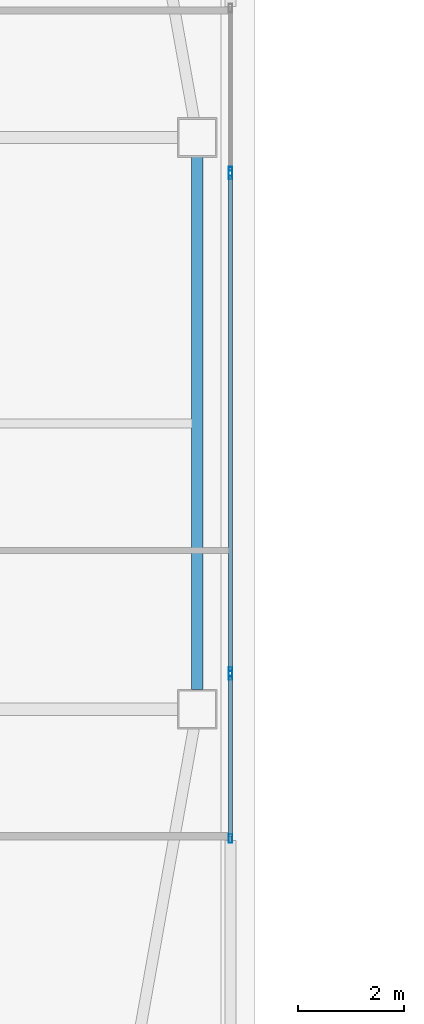
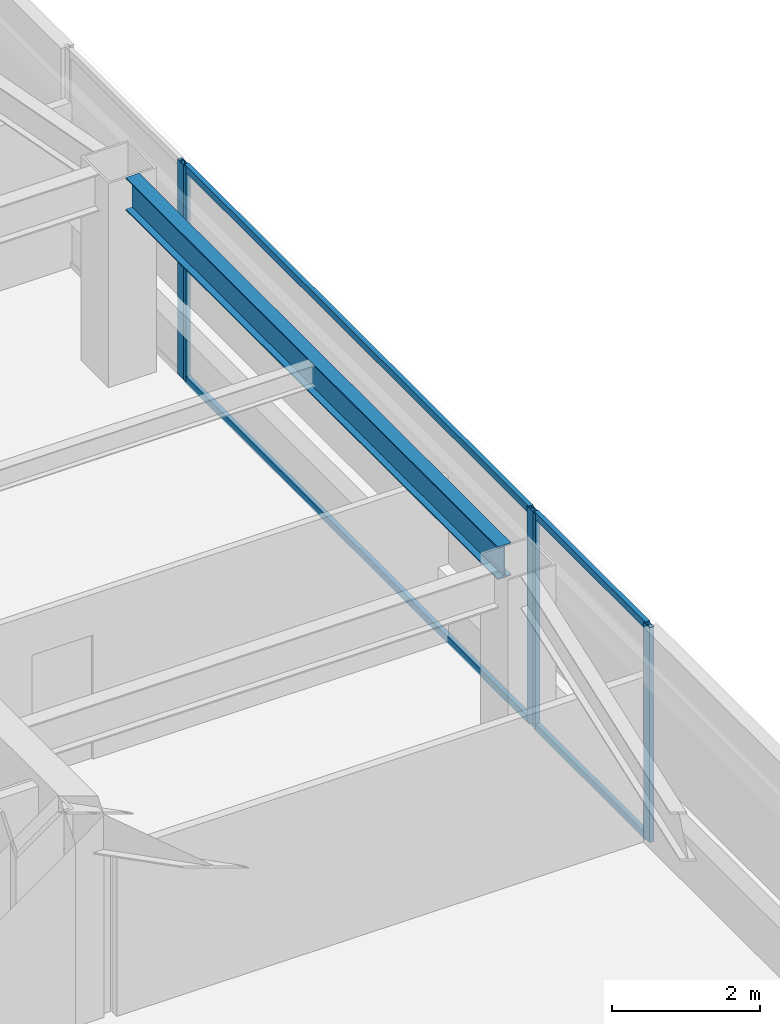
# One storey, part 11 of 39: 9 members, 1 beam, 3 elements without a shape of their own.
"""IFC4 building model written with IfcOpenShell, lengths in metres."""

from ifc_helpers import new_model, si_unit, direction, frame, origin, origin_2d, place, context, subcontext, project, spatial, hollow_rectangle, i_section, extrude, material, material_profile, profile_set, type_object, element, aggregate, save


model = new_model("IFC4")

# Units and contexts
model_context = context("Model", 3, precision=1e-05, world=origin(), true_north=direction((0.0, 1.0)))
body_context = subcontext(model_context, "Body", "Model", "MODEL_VIEW")
ifc_project = project(units=[si_unit("LENGTHUNIT", "METRE"), si_unit("AREAUNIT", "SQUARE_METRE"), si_unit("VOLUMEUNIT", "CUBIC_METRE"), si_unit("PLANEANGLEUNIT", "RADIAN"), si_unit("MASSUNIT", "GRAM", prefix="KILO")], contexts=[model_context])

# Site, building, storey
site_placement = place(None, origin())
site = spatial("IfcSite", under=ifc_project, at=site_placement, CompositionType="ELEMENT")
building_placement = place(site_placement, origin())
building = spatial("IfcBuilding", under=site, at=building_placement, Name="Tashvorn Skyway Center", CompositionType="ELEMENT")
storey_placement = place(building_placement, frame((0.0, 0.0, 225.5)))
storey = spatial("IfcBuildingStorey", under=building, at=storey_placement, Name="L61", CompositionType="ELEMENT", Elevation=225.5)

# Beam
ifc_material_1 = material(Name="Steel ASTM A992 Grade 50", Category="steel")
ifc_material_profile_1 = material_profile(ifc_material_1, i_section(OverallWidth=0.2109375, OverallDepth=0.5390625, WebThickness=0.01171875, FlangeThickness=0.018798828125, at=origin_2d()), Name="W21X73")
ifc_profile_set_1 = profile_set([ifc_material_profile_1], Name="Steel ASTM A992 Grade 50")
beam_type = type_object("IfcBeamType", Name="BM-SPANDREL-W21X73", PredefinedType="SPANDREL", material=ifc_profile_set_1)
beam_placement = place(storey_placement, frame((57.64990234375, 26.969970703125, 3.1005859375), z_axis=(0.0, 1.0, 0.0), x_axis=(-1.0, 0.0, 0.0)))
element("IfcBeam", 1, at=beam_placement, inside=storey, type_object=beam_type, Name="Tower 1 L61 Spandrel Beam 05", PredefinedType="SPANDREL", context=body_context, shape_type="SweptSolid", body=[
    extrude(i_section(OverallWidth=0.2109375, OverallDepth=0.5390625, WebThickness=0.01171875, FlangeThickness=0.018798828125, at=origin_2d()), origin(), (0.0, 0.0, 1.0), 10.06005859375),
])

# Curtain wall, member
ifc_material_2 = material(Name="Thermally broken bronze-anodized aluminium 6063-T6", Category="aluminium")
curtain_wall_type = type_object("IfcCurtainWallType", Name="CW-CW-Z5", PredefinedType="NOTDEFINED", material=ifc_material_2)
curtain_wall_1_placement = place(storey_placement, origin())
curtain_wall_1 = element("IfcCurtainWall", 2, at=curtain_wall_1_placement, inside=storey, type_object=curtain_wall_type, Name="Tower 1 L61 East Unitised Curtain Wall Glazing Group 1", PredefinedType="NOTDEFINED")
ifc_material_profile_2 = material_profile(ifc_material_2, hollow_rectangle(XDim=0.070068359375, YDim=0.1650390625, WallThickness=0.00390625, at=origin_2d()), Name="ALU-MULL-70x165")
ifc_profile_set_2 = profile_set([ifc_material_profile_2], Name="Thermally broken bronze-anodized aluminium 6063-T6")
member_type_1 = type_object("IfcMemberType", Name="CWM-CW-Z5", PredefinedType="MULLION", material=ifc_profile_set_2)
member_1_placement = place(storey_placement, frame((58.280029296875, 36.76171875, 0.0), z_axis=(0.0, 0.0, 1.0), x_axis=(1.0, 0.0, 0.0)))
member_1 = element("IfcMember", 3, at=member_1_placement, type_object=member_type_1, Name="CW-Z5 mullion 2", PredefinedType="MULLION", context=body_context, shape_type="SweptSolid", body=[
    extrude(hollow_rectangle(XDim=0.070068359375, YDim=0.1650390625, WallThickness=0.00390625, at=origin_2d()), origin(), (0.0, 0.0, 1.0), 3.550048828125),
])
aggregate(curtain_wall_1, [member_1])

# Curtain wall, members
curtain_wall_2_placement = place(storey_placement, origin())
curtain_wall_2 = element("IfcCurtainWall", 4, at=curtain_wall_2_placement, inside=storey, type_object=curtain_wall_type, Name="Tower 1 L61 East Unitised Curtain Wall Glazing Group 2", PredefinedType="NOTDEFINED")
member_2_placement = place(storey_placement, frame((58.280029296875, 36.691650390625, 0.0), z_axis=(0.0, 0.0, 1.0), x_axis=(1.0, 0.0, 0.0)))
member_2 = element("IfcMember", 5, at=member_2_placement, type_object=member_type_1, Name="CW-Z5 mullion 1", PredefinedType="MULLION", context=body_context, shape_type="SweptSolid", body=[
    extrude(hollow_rectangle(XDim=0.070068359375, YDim=0.1650390625, WallThickness=0.00390625, at=origin_2d()), origin(), (0.0, 0.0, 1.0), 3.550048828125),
])
member_3_placement = place(storey_placement, frame((58.280029296875, 27.308349609375, 0.0), z_axis=(0.0, 0.0, 1.0), x_axis=(1.0, 0.0, 0.0)))
member_3 = element("IfcMember", 6, at=member_3_placement, type_object=member_type_1, Name="CW-Z5 mullion 2", PredefinedType="MULLION", context=body_context, shape_type="SweptSolid", body=[
    extrude(hollow_rectangle(XDim=0.070068359375, YDim=0.1650390625, WallThickness=0.00390625, at=origin_2d()), origin(), (0.0, 0.0, 1.0), 3.550048828125),
])

curtain_wall_3_placement = place(storey_placement, origin())
curtain_wall_3 = element("IfcCurtainWall", 7, at=curtain_wall_3_placement, inside=storey, type_object=curtain_wall_type, Name="Tower 1 L61 East Unitised Curtain Wall Glazing Group 3", PredefinedType="NOTDEFINED")
member_4_placement = place(storey_placement, frame((58.280029296875, 27.23828125, 0.0), z_axis=(0.0, 0.0, 1.0), x_axis=(1.0, 0.0, 0.0)))
member_4 = element("IfcMember", 8, at=member_4_placement, type_object=member_type_1, Name="CW-Z5 mullion 1", PredefinedType="MULLION", context=body_context, shape_type="SweptSolid", body=[
    extrude(hollow_rectangle(XDim=0.070068359375, YDim=0.1650390625, WallThickness=0.00390625, at=origin_2d()), origin(), (0.0, 0.0, 1.0), 3.550048828125),
])
member_5_placement = place(storey_placement, frame((58.280029296875, 24.1572265625, 0.0), z_axis=(0.0, 0.0, 1.0), x_axis=(1.0, 0.0, 0.0)))
member_5 = element("IfcMember", 9, at=member_5_placement, type_object=member_type_1, Name="CW-Z5 mullion 2", PredefinedType="MULLION", context=body_context, shape_type="SweptSolid", body=[
    extrude(hollow_rectangle(XDim=0.070068359375, YDim=0.1650390625, WallThickness=0.00390625, at=origin_2d()), origin(), (0.0, 0.0, 1.0), 3.550048828125),
])

# Member
ifc_material_profile_3 = material_profile(ifc_material_2, hollow_rectangle(XDim=0.070068359375, YDim=0.114990234375, WallThickness=0.00390625, at=origin_2d()), Name="ALU-TRAN-70x115")
ifc_profile_set_3 = profile_set([ifc_material_profile_3], Name="Thermally broken bronze-anodized aluminium 6063-T6")
member_type_2 = type_object("IfcMemberType", Name="CWT-CW-Z5", PredefinedType="USERDEFINED", material=ifc_profile_set_3)
member_6_placement = place(storey_placement, frame((58.280029296875, 36.65673828125, 0.034912109375), z_axis=(0.0, -1.0, 0.0), x_axis=(1.0, 0.0, 0.0)))
member_6 = element("IfcMember", 10, at=member_6_placement, type_object=member_type_2, Name="CW-Z5 transom 1.1", ObjectType="TRANSOM", PredefinedType="USERDEFINED", context=body_context, shape_type="SweptSolid", body=[
    extrude(hollow_rectangle(XDim=0.070068359375, YDim=0.114990234375, WallThickness=0.00390625, at=origin_2d()), origin(), (0.0, 0.0, 1.0), 9.3134765625),
])

member_7_placement = place(storey_placement, frame((58.280029296875, 36.65673828125, 3.514892578125), z_axis=(0.0, -1.0, 0.0), x_axis=(1.0, 0.0, 0.0)))
member_7 = element("IfcMember", 11, at=member_7_placement, type_object=member_type_2, Name="CW-Z5 transom 1.2", ObjectType="TRANSOM", PredefinedType="USERDEFINED", context=body_context, shape_type="SweptSolid", body=[
    extrude(hollow_rectangle(XDim=0.070068359375, YDim=0.114990234375, WallThickness=0.00390625, at=origin_2d()), origin(), (0.0, 0.0, 1.0), 9.3134765625),
])

aggregate(curtain_wall_2, [member_2, member_3, member_6, member_7])

member_8_placement = place(storey_placement, frame((58.280029296875, 27.203369140625, 0.034912109375), z_axis=(0.0, -1.0, 0.0), x_axis=(1.0, 0.0, 0.0)))
member_8 = element("IfcMember", 12, at=member_8_placement, type_object=member_type_2, Name="CW-Z5 transom 1.1", ObjectType="TRANSOM", PredefinedType="USERDEFINED", context=body_context, shape_type="SweptSolid", body=[
    extrude(hollow_rectangle(XDim=0.070068359375, YDim=0.114990234375, WallThickness=0.00390625, at=origin_2d()), origin(), (0.0, 0.0, 1.0), 3.01123046875),
])

member_9_placement = place(storey_placement, frame((58.280029296875, 27.203369140625, 3.514892578125), z_axis=(0.0, -1.0, 0.0), x_axis=(1.0, 0.0, 0.0)))
member_9 = element("IfcMember", 13, at=member_9_placement, type_object=member_type_2, Name="CW-Z5 transom 1.2", ObjectType="TRANSOM", PredefinedType="USERDEFINED", context=body_context, shape_type="SweptSolid", body=[
    extrude(hollow_rectangle(XDim=0.070068359375, YDim=0.114990234375, WallThickness=0.00390625, at=origin_2d()), origin(), (0.0, 0.0, 1.0), 3.01123046875),
])

aggregate(curtain_wall_3, [member_4, member_5, member_8, member_9])

save(model, "model.ifc")
